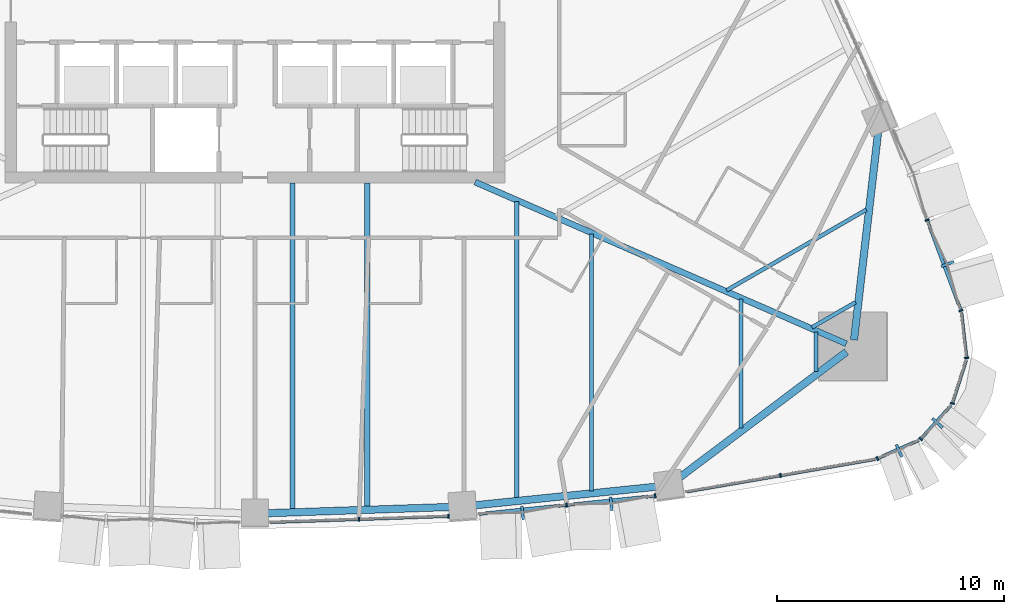
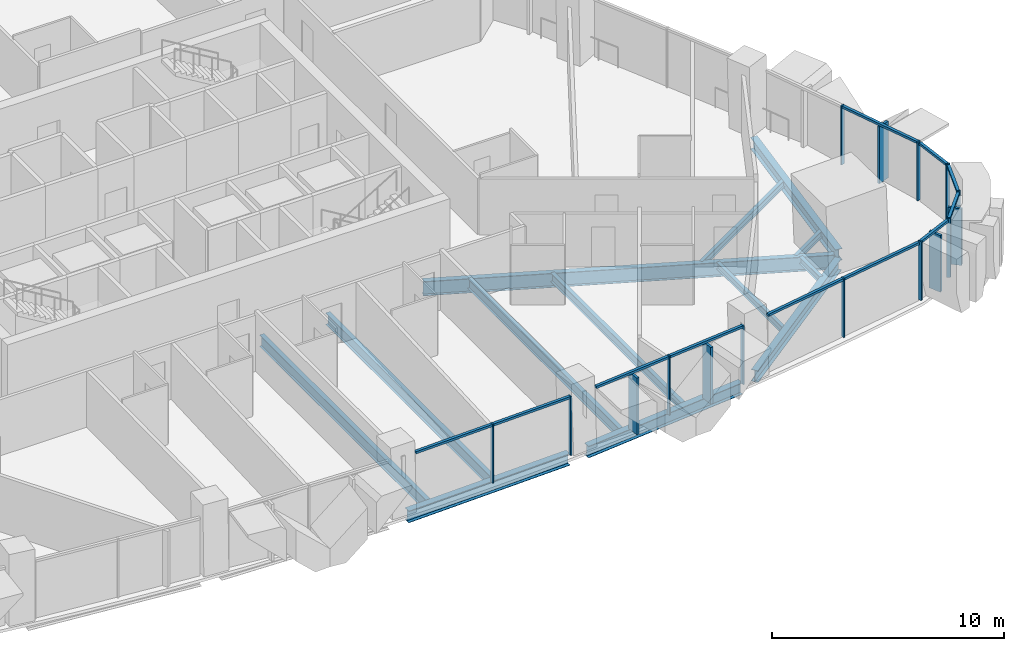
# One storey, part 4 of 19: 27 members, 13 beams, 8 elements without a shape of their own.
"""IFC4 building model written with IfcOpenShell, lengths in metres."""

from ifc_helpers import new_model, si_unit, direction, frame, origin, origin_2d, place, context, subcontext, project, spatial, rectangle, i_section, extrude, material, layer, layer_set, material_profile, profile_set, type_object, element, aggregate, save


model = new_model("IFC4")

# Units and contexts
model_context = context("Model", 3, precision=1e-05, world=origin(), true_north=direction((0.0, 1.0)))
body_context = subcontext(model_context, "Body", "Model", "MODEL_VIEW")
ifc_project = project(units=[si_unit("LENGTHUNIT", "METRE"), si_unit("AREAUNIT", "SQUARE_METRE"), si_unit("VOLUMEUNIT", "CUBIC_METRE"), si_unit("PLANEANGLEUNIT", "RADIAN"), si_unit("MASSUNIT", "GRAM", prefix="KILO")], contexts=[model_context])

# Site, building, storey
site_placement = place(None, origin())
site = spatial("IfcSite", under=ifc_project, at=site_placement, CompositionType="ELEMENT")
building_placement = place(site_placement, origin())
building = spatial("IfcBuilding", under=site, at=building_placement, Name="Sierra Prisma Convention Tower", CompositionType="ELEMENT")
storey_placement = place(building_placement, frame((0.0, 0.0, 77.60009765625)))
storey = spatial("IfcBuildingStorey", under=building, at=storey_placement, Name="L15", CompositionType="ELEMENT", Elevation=77.60009765625)

# Curtain wall, members
ifc_material_1 = material(Name="Aluminium and glass curtain wall", Category="aluminium")
ifc_layer_1 = layer(ifc_material_1, 0.179931640625)
ifc_layer_set_1 = layer_set([ifc_layer_1], Name="CW-2 Faceted crystal curtain wall")
curtain_wall_type_1 = type_object("IfcCurtainWallType", Name="CW-2 Faceted crystal curtain wall", PredefinedType="NOTDEFINED", material=ifc_layer_set_1)
curtain_wall_1_placement = place(storey_placement, origin())
curtain_wall_1 = element("IfcCurtainWall", 1, at=curtain_wall_1_placement, inside=storey, type_object=curtain_wall_type_1, Name="CW-2 S5 L15", PredefinedType="NOTDEFINED")
ifc_material_2 = material(Name="Aluminium 6063-T6 bronze anodised", Category="aluminium")
ifc_material_profile_1 = material_profile(ifc_material_2, rectangle(XDim=0.1201171875, YDim=0.60009765625, at=origin_2d()), Name="ALU RIDGE BLADE 120x600")
ifc_profile_set_1 = profile_set([ifc_material_profile_1], Name="Aluminium 6063-T6 bronze anodised")
member_type_1 = type_object("IfcMemberType", Name="CW hip bronze", PredefinedType="MULLION", material=ifc_profile_set_1)
member_1_placement = place(storey_placement, frame((11.778076171875, -22.52392578125, 0.0), z_axis=(0.0, 0.0, 1.0), x_axis=(0.994772930639, 0.102111784176, 0.0)))
member_1 = element("IfcMember", 2, at=member_1_placement, type_object=member_type_1, Name="CW-2 ridge S5.1", PredefinedType="MULLION", context=body_context, shape_type="SweptSolid", body=[
    extrude(rectangle(XDim=0.1201171875, YDim=0.60009765625, at=origin_2d()), origin(), (0.0, 0.0, 1.0), 2.97998046875),
])
member_2_placement = place(storey_placement, frame((15.682373046875, -22.123046875, 0.0), z_axis=(0.0, 0.0, 1.0), x_axis=(0.994772930639, 0.102111784176, 0.0)))
member_2 = element("IfcMember", 3, at=member_2_placement, type_object=member_type_1, Name="CW-2 ridge S5.2", PredefinedType="MULLION", context=body_context, shape_type="SweptSolid", body=[
    extrude(rectangle(XDim=0.1201171875, YDim=0.60009765625, at=origin_2d()), origin(), (0.0, 0.0, 1.0), 2.97998046875),
])

# Curtain wall, member
curtain_wall_2_placement = place(storey_placement, origin())
curtain_wall_2 = element("IfcCurtainWall", 4, at=curtain_wall_2_placement, inside=storey, type_object=curtain_wall_type_1, Name="CW-2 SE1 L15", PredefinedType="NOTDEFINED")
member_3_placement = place(storey_placement, frame((28.357421875, -19.78857421875, 0.0), z_axis=(0.0, 0.0, 1.0), x_axis=(0.914741517219, 0.404039548407, 0.0)))
member_3 = element("IfcMember", 5, at=member_3_placement, type_object=member_type_1, Name="CW-2 ridge SE1.1", PredefinedType="MULLION", context=body_context, shape_type="SweptSolid", body=[
    extrude(rectangle(XDim=0.1201171875, YDim=0.60009765625, at=origin_2d()), origin(), (0.0, 0.0, 1.0), 2.97998046875),
])

curtain_wall_3_placement = place(storey_placement, origin())
curtain_wall_3 = element("IfcCurtainWall", 6, at=curtain_wall_3_placement, inside=storey, type_object=curtain_wall_type_1, Name="CW-2 SE2 L15", PredefinedType="NOTDEFINED")
member_4_placement = place(storey_placement, frame((30.046630859375, -18.56396484375, 0.0), z_axis=(0.0, 0.0, 1.0), x_axis=(0.668485661944, 0.743725029682, 0.0)))
member_4 = element("IfcMember", 7, at=member_4_placement, type_object=member_type_1, Name="CW-2 ridge SE2.1", PredefinedType="MULLION", context=body_context, shape_type="SweptSolid", body=[
    extrude(rectangle(XDim=0.1201171875, YDim=0.60009765625, at=origin_2d()), origin(), (0.0, 0.0, 1.0), 2.97998046875),
])

curtain_wall_4_placement = place(storey_placement, origin())
curtain_wall_4 = element("IfcCurtainWall", 8, at=curtain_wall_4_placement, inside=storey, type_object=curtain_wall_type_1, Name="CW-2 NE1 L15", PredefinedType="NOTDEFINED")
member_5_placement = place(storey_placement, frame((30.491455078125, -11.56103515625, 0.0), z_axis=(0.0, 0.0, 1.0), x_axis=(-0.350139772107, 0.936697464494, 0.0)))
member_5 = element("IfcMember", 9, at=member_5_placement, type_object=member_type_1, Name="CW-2 ridge NE1.1", PredefinedType="MULLION", context=body_context, shape_type="SweptSolid", body=[
    extrude(rectangle(XDim=0.1201171875, YDim=0.60009765625, at=origin_2d()), origin(), (0.0, 0.0, 1.0), 2.97998046875),
])

# Curtain wall, members
ifc_material_3 = material(Name="Aluminium and glass curtain wall", Category="aluminium")
ifc_layer_2 = layer(ifc_material_3, 0.179931640625)
ifc_layer_set_2 = layer_set([ifc_layer_2], Name="CW-1 Plain shaft curtain wall")
curtain_wall_type_2 = type_object("IfcCurtainWallType", Name="CW-1 Plain shaft curtain wall", PredefinedType="NOTDEFINED", material=ifc_layer_set_2)
curtain_wall_5_placement = place(storey_placement, origin())
curtain_wall_5 = element("IfcCurtainWall", 10, at=curtain_wall_5_placement, inside=storey, type_object=curtain_wall_type_2, Name="CW-1 S4 L15", PredefinedType="NOTDEFINED")
ifc_material_4 = material(Name="Aluminium 6063-T6 bronze anodised", Category="aluminium")
ifc_material_profile_2 = material_profile(ifc_material_4, rectangle(XDim=0.179931640625, YDim=0.070068359375, at=origin_2d()), Name="ALU MULLION 70x180")
ifc_profile_set_2 = profile_set([ifc_material_profile_2], Name="Aluminium 6063-T6 bronze anodised")
member_type_2 = type_object("IfcMemberType", Name="CW mullion bronze", PredefinedType="MULLION", material=ifc_profile_set_2)
member_6_placement = place(storey_placement, frame((4.578369140625, -22.795166015625, 0.0), z_axis=(0.0, 0.0, 1.0), x_axis=(-0.03409008438, 0.999418764156, 0.0)))
member_6 = element("IfcMember", 11, at=member_6_placement, type_object=member_type_2, Name="CW-1 mullion S4.2", PredefinedType="MULLION", context=body_context, shape_type="SweptSolid", body=[
    extrude(rectangle(XDim=0.179931640625, YDim=0.070068359375, at=origin_2d()), origin(), (0.0, 0.0, 1.0), 3.099853515625),
])
member_7_placement = place(storey_placement, frame((8.522216796875, -22.66064453125, 0.0), z_axis=(0.0, 0.0, 1.0), x_axis=(-0.03409008438, 0.999418764156, 0.0)))
member_7 = element("IfcMember", 12, at=member_7_placement, type_object=member_type_2, Name="CW-1 mullion S4.3", PredefinedType="MULLION", context=body_context, shape_type="SweptSolid", body=[
    extrude(rectangle(XDim=0.179931640625, YDim=0.070068359375, at=origin_2d()), origin(), (0.0, 0.0, 1.0), 3.099853515625),
])

# Member
member_8_placement = place(storey_placement, frame((13.714599609375, -22.172607421875, 0.0), z_axis=(0.0, 0.0, 1.0), x_axis=(-0.102111784176, 0.994772930639, 0.0)))
member_8 = element("IfcMember", 13, at=member_8_placement, type_object=member_type_2, Name="CW-1 mullion S5.2", PredefinedType="MULLION", context=body_context, shape_type="SweptSolid", body=[
    extrude(rectangle(XDim=0.179931640625, YDim=0.070068359375, at=origin_2d()), origin(), (0.0, 0.0, 1.0), 3.099853515625),
])

member_9_placement = place(storey_placement, frame((17.619140625, -21.771728515625, 0.0), z_axis=(0.0, 0.0, 1.0), x_axis=(-0.102111784176, 0.994772930639, 0.0)))
member_9 = element("IfcMember", 14, at=member_9_placement, type_object=member_type_2, Name="CW-1 mullion S5.3", PredefinedType="MULLION", context=body_context, shape_type="SweptSolid", body=[
    extrude(rectangle(XDim=0.179931640625, YDim=0.070068359375, at=origin_2d()), origin(), (0.0, 0.0, 1.0), 3.099853515625),
])

# Curtain wall, member
curtain_wall_6_placement = place(storey_placement, origin())
curtain_wall_6 = element("IfcCurtainWall", 15, at=curtain_wall_6_placement, inside=storey, type_object=curtain_wall_type_2, Name="CW-1 S6 L15", PredefinedType="NOTDEFINED")
member_10_placement = place(storey_placement, frame((23.135498046875, -20.870361328125, 0.0), z_axis=(0.0, 0.0, 1.0), x_axis=(-0.169658813728, 0.985502859927, 0.0)))
member_10 = element("IfcMember", 16, at=member_10_placement, type_object=member_type_2, Name="CW-1 mullion S6.2", PredefinedType="MULLION", context=body_context, shape_type="SweptSolid", body=[
    extrude(rectangle(XDim=0.179931640625, YDim=0.070068359375, at=origin_2d()), origin(), (0.0, 0.0, 1.0), 3.099853515625),
])

# Member
member_11_placement = place(storey_placement, frame((27.3974609375, -20.128173828125, 0.0), z_axis=(0.0, 0.0, 1.0), x_axis=(-0.404039548407, 0.914741517219, 0.0)))
member_11 = element("IfcMember", 17, at=member_11_placement, type_object=member_type_2, Name="CW-1 mullion SE1.1", PredefinedType="MULLION", context=body_context, shape_type="SweptSolid", body=[
    extrude(rectangle(XDim=0.179931640625, YDim=0.070068359375, at=origin_2d()), origin(), (0.0, 0.0, 1.0), 3.099853515625),
])

member_12_placement = place(storey_placement, frame((29.310546875, -19.267578125, 0.0), z_axis=(0.0, 0.0, 1.0), x_axis=(-0.743725029682, 0.668485661944, 0.0)))
member_12 = element("IfcMember", 18, at=member_12_placement, type_object=member_type_2, Name="CW-1 mullion SE2.1", PredefinedType="MULLION", context=body_context, shape_type="SweptSolid", body=[
    extrude(rectangle(XDim=0.179931640625, YDim=0.070068359375, at=origin_2d()), origin(), (0.0, 0.0, 1.0), 3.099853515625),
])

# Curtain wall, member
curtain_wall_7_placement = place(storey_placement, origin())
curtain_wall_7 = element("IfcCurtainWall", 19, at=curtain_wall_7_placement, inside=storey, type_object=curtain_wall_type_2, Name="CW-1 SE3 L15", PredefinedType="NOTDEFINED")
member_13_placement = place(storey_placement, frame((30.7021484375, -17.69775390625, 0.0), z_axis=(0.0, 0.0, 1.0), x_axis=(-0.95249395318, 0.304557497291, 0.0)))
member_13 = element("IfcMember", 20, at=member_13_placement, type_object=member_type_2, Name="CW-1 mullion SE3.1", PredefinedType="MULLION", context=body_context, shape_type="SweptSolid", body=[
    extrude(rectangle(XDim=0.179931640625, YDim=0.070068359375, at=origin_2d()), origin(), (0.0, 0.0, 1.0), 3.099853515625),
])

curtain_wall_8_placement = place(storey_placement, origin())
curtain_wall_8 = element("IfcCurtainWall", 21, at=curtain_wall_8_placement, inside=storey, type_object=curtain_wall_type_2, Name="CW-1 SE4 L15", PredefinedType="NOTDEFINED")
member_14_placement = place(storey_placement, frame((31.3271484375, -15.6953125, 0.0), z_axis=(0.0, 0.0, 1.0), x_axis=(-0.993597106833, -0.112981367016, 0.0)))
member_14 = element("IfcMember", 22, at=member_14_placement, type_object=member_type_2, Name="CW-1 mullion SE4.1", PredefinedType="MULLION", context=body_context, shape_type="SweptSolid", body=[
    extrude(rectangle(XDim=0.179931640625, YDim=0.070068359375, at=origin_2d()), origin(), (0.0, 0.0, 1.0), 3.099853515625),
])

# Member
member_15_placement = place(storey_placement, frame((31.08154296875, -13.610107421875, 0.0), z_axis=(0.0, 0.0, 1.0), x_axis=(-0.936697464494, -0.350139772107, 0.0)))
member_15 = element("IfcMember", 23, at=member_15_placement, type_object=member_type_2, Name="CW-1 mullion NE1.1", PredefinedType="MULLION", context=body_context, shape_type="SweptSolid", body=[
    extrude(rectangle(XDim=0.179931640625, YDim=0.070068359375, at=origin_2d()), origin(), (0.0, 0.0, 1.0), 3.099853515625),
])

member_16_placement = place(storey_placement, frame((29.593017578125, -9.62744140625, 0.0), z_axis=(0.0, 0.0, 1.0), x_axis=(-0.936697464494, -0.350139772107, 0.0)))
member_16 = element("IfcMember", 24, at=member_16_placement, type_object=member_type_2, Name="CW-1 mullion NE1.2", PredefinedType="MULLION", context=body_context, shape_type="SweptSolid", body=[
    extrude(rectangle(XDim=0.179931640625, YDim=0.070068359375, at=origin_2d()), origin(), (0.0, 0.0, 1.0), 3.099853515625),
])

ifc_material_5 = material(Name="Aluminium 6063-T6 bronze anodised", Category="aluminium")
ifc_material_profile_3 = material_profile(ifc_material_5, rectangle(XDim=0.139892578125, YDim=0.1201171875, at=origin_2d()), Name="ALU TRANSOM 120x140")
ifc_profile_set_3 = profile_set([ifc_material_profile_3], Name="Aluminium 6063-T6 bronze anodised")
member_type_3 = type_object("IfcMemberType", Name="CW transom bronze", PredefinedType="USERDEFINED", material=ifc_profile_set_3)
member_17_placement = place(storey_placement, frame((0.669677734375, -22.928466796875, 3.039794921875), z_axis=(0.999419240354, 0.034076120819, 0.0), x_axis=(-0.034076120819, 0.999419240354, 0.0)))
member_17 = element("IfcMember", 25, at=member_17_placement, type_object=member_type_3, Name="CW-1 transom S4.1", ObjectType="TRANSOM", PredefinedType="USERDEFINED", context=body_context, shape_type="SweptSolid", body=[
    extrude(rectangle(XDim=0.139892578125, YDim=0.1201171875, at=origin_2d()), origin(), (0.0, 0.0, 1.0), 3.8759765625),
])

member_18_placement = place(storey_placement, frame((4.613525390625, -22.7939453125, 3.039794921875), z_axis=(0.999419240354, 0.034076120819, 0.0), x_axis=(-0.034076120819, 0.999419240354, 0.0)))
member_18 = element("IfcMember", 26, at=member_18_placement, type_object=member_type_3, Name="CW-1 transom S4.2", ObjectType="TRANSOM", PredefinedType="USERDEFINED", context=body_context, shape_type="SweptSolid", body=[
    extrude(rectangle(XDim=0.139892578125, YDim=0.1201171875, at=origin_2d()), origin(), (0.0, 0.0, 1.0), 3.8759765625),
])

aggregate(curtain_wall_5, [member_6, member_7, member_17, member_18])

member_19_placement = place(storey_placement, frame((9.84521484375, -22.56982421875, 3.039794921875), z_axis=(0.994774843616, 0.102093146235, 0.0), x_axis=(-0.102093146235, 0.994774843616, 0.0)))
member_19 = element("IfcMember", 27, at=member_19_placement, type_object=member_type_3, Name="CW-1 transom S5.1", ObjectType="TRANSOM", PredefinedType="USERDEFINED", context=body_context, shape_type="SweptSolid", body=[
    extrude(rectangle(XDim=0.139892578125, YDim=0.1201171875, at=origin_2d()), origin(), (0.0, 0.0, 1.0), 3.85498046875),
])

member_20_placement = place(storey_placement, frame((13.74951171875, -22.1689453125, 3.039794921875), z_axis=(0.994774843616, 0.102093146235, 0.0), x_axis=(-0.102093146235, 0.994774843616, 0.0)))
member_20 = element("IfcMember", 28, at=member_20_placement, type_object=member_type_3, Name="CW-1 transom S5.2", ObjectType="TRANSOM", PredefinedType="USERDEFINED", context=body_context, shape_type="SweptSolid", body=[
    extrude(rectangle(XDim=0.139892578125, YDim=0.1201171875, at=origin_2d()), origin(), (0.0, 0.0, 1.0), 3.85498046875),
])

aggregate(curtain_wall_1, [member_8, member_9, member_19, member_1, member_20, member_2])

member_21_placement = place(storey_placement, frame((18.974853515625, -21.586669921875, 3.039794921875), z_axis=(0.985508555628, 0.169625725597, 0.0), x_axis=(-0.169625725597, 0.985508555628, 0.0)))
member_21 = element("IfcMember", 29, at=member_21_placement, type_object=member_type_3, Name="CW-1 transom S6.1", ObjectType="TRANSOM", PredefinedType="USERDEFINED", context=body_context, shape_type="SweptSolid", body=[
    extrude(rectangle(XDim=0.139892578125, YDim=0.1201171875, at=origin_2d()), origin(), (0.0, 0.0, 1.0), 4.18701171875),
])

member_22_placement = place(storey_placement, frame((23.170166015625, -20.864501953125, 3.039794921875), z_axis=(0.985498806443, 0.169682357656, 0.0), x_axis=(-0.169682357656, 0.985498806443, 0.0)))
member_22 = element("IfcMember", 30, at=member_22_placement, type_object=member_type_3, Name="CW-1 transom S6.2", ObjectType="TRANSOM", PredefinedType="USERDEFINED", context=body_context, shape_type="SweptSolid", body=[
    extrude(rectangle(XDim=0.139892578125, YDim=0.1201171875, at=origin_2d()), origin(), (0.0, 0.0, 1.0), 4.18701171875),
])

aggregate(curtain_wall_6, [member_10, member_21, member_22])

member_23_placement = place(storey_placement, frame((27.429443359375, -20.114013671875, 3.039794921875), z_axis=(0.91472835024, 0.404069357001, 0.0), x_axis=(-0.404069357001, 0.91472835024, 0.0)))
member_23 = element("IfcMember", 31, at=member_23_placement, type_object=member_type_3, Name="CW-1 transom SE1.1", ObjectType="TRANSOM", PredefinedType="USERDEFINED", context=body_context, shape_type="SweptSolid", body=[
    extrude(rectangle(XDim=0.139892578125, YDim=0.1201171875, at=origin_2d()), origin(), (0.0, 0.0, 1.0), 1.960693359375),
])

aggregate(curtain_wall_2, [member_11, member_23, member_3])

member_24_placement = place(storey_placement, frame((29.333740234375, -19.241455078125, 3.039794921875), z_axis=(0.668503703086, 0.743708813286, 0.0), x_axis=(-0.743708813286, 0.668503703086, 0.0)))
member_24 = element("IfcMember", 32, at=member_24_placement, type_object=member_type_3, Name="CW-1 transom SE2.1", ObjectType="TRANSOM", PredefinedType="USERDEFINED", context=body_context, shape_type="SweptSolid", body=[
    extrude(rectangle(XDim=0.139892578125, YDim=0.1201171875, at=origin_2d()), origin(), (0.0, 0.0, 1.0), 1.960693359375),
])

aggregate(curtain_wall_3, [member_12, member_24, member_4])

member_25_placement = place(storey_placement, frame((30.712646484375, -17.664306640625, 3.039794921875), z_axis=(0.304585952829, 0.952484854126, 0.0), x_axis=(-0.952484854126, 0.304585952829, 0.0)))
member_25 = element("IfcMember", 33, at=member_25_placement, type_object=member_type_3, Name="CW-1 transom SE3.1", ObjectType="TRANSOM", PredefinedType="USERDEFINED", context=body_context, shape_type="SweptSolid", body=[
    extrude(rectangle(XDim=0.139892578125, YDim=0.1201171875, at=origin_2d()), origin(), (0.0, 0.0, 1.0), 1.960693359375),
])

aggregate(curtain_wall_7, [member_13, member_25])

member_26_placement = place(storey_placement, frame((31.3232421875, -15.66064453125, 3.039794921875), z_axis=(-0.112932037883, 0.993602714781, 0.0), x_axis=(-0.993602714781, -0.112932037883, 0.0)))
member_26 = element("IfcMember", 34, at=member_26_placement, type_object=member_type_3, Name="CW-1 transom SE4.1", ObjectType="TRANSOM", PredefinedType="USERDEFINED", context=body_context, shape_type="SweptSolid", body=[
    extrude(rectangle(XDim=0.139892578125, YDim=0.1201171875, at=origin_2d()), origin(), (0.0, 0.0, 1.0), 1.960693359375),
])

aggregate(curtain_wall_8, [member_14, member_26])

member_27_placement = place(storey_placement, frame((31.0693359375, -13.5771484375, 3.039794921875), z_axis=(-0.350144274812, 0.936695781359, 0.0), x_axis=(-0.936695781359, -0.350144274812, 0.0)))
member_27 = element("IfcMember", 35, at=member_27_placement, type_object=member_type_3, Name="CW-1 transom NE1.1", ObjectType="TRANSOM", PredefinedType="USERDEFINED", context=body_context, shape_type="SweptSolid", body=[
    extrude(rectangle(XDim=0.139892578125, YDim=0.1201171875, at=origin_2d()), origin(), (0.0, 0.0, 1.0), 4.181396484375),
])

aggregate(curtain_wall_4, [member_15, member_16, member_27, member_5])

# Beams
ifc_material_6 = material(Name="Steel ASTM A992 Gr 50", Category="steel")
ifc_material_profile_4 = material_profile(ifc_material_6, i_section(OverallWidth=0.172119140625, OverallDepth=0.35791015625, WebThickness=0.0078125, FlangeThickness=0.01318359375, at=origin_2d()), Name="W360x57")
ifc_profile_set_4 = profile_set([ifc_material_profile_4], Name="Steel ASTM A992 Gr 50")
beam_type_1 = type_object("IfcBeamType", Name="Floor joist W360x57", PredefinedType="JOIST", material=ifc_profile_set_4)
beam_1_placement = place(storey_placement, frame((21.3984375, -18.77001953125, -0.3291015625), z_axis=(0.0, 1.0, 0.0), x_axis=(-1.0, 0.0, 0.0)))
element("IfcBeam", 36, at=beam_1_placement, inside=storey, type_object=beam_type_1, Name="Floor joist L15 S15", PredefinedType="JOIST", context=body_context, shape_type="SweptSolid", body=[
    extrude(i_section(OverallWidth=0.172119140625, OverallDepth=0.35791015625, WebThickness=0.0078125, FlangeThickness=0.01318359375, at=origin_2d()), origin(), (0.0, 0.0, 1.0), 5.658447265625),
])
beam_2_placement = place(storey_placement, frame((24.690673828125, -16.291259765625, -0.3291015625), z_axis=(0.0, 1.0, 0.0), x_axis=(-1.0, 0.0, 0.0)))
element("IfcBeam", 37, at=beam_2_placement, inside=storey, type_object=beam_type_1, Name="Floor joist L15 S16", PredefinedType="JOIST", context=body_context, shape_type="SweptSolid", body=[
    extrude(i_section(OverallWidth=0.172119140625, OverallDepth=0.35791015625, WebThickness=0.0078125, FlangeThickness=0.01318359375, at=origin_2d()), origin(), (0.0, 0.0, 1.0), 1.7451171875),
])
beam_3_placement = place(storey_placement, frame((26.44091796875, -13.24462890625, -0.3291015625), z_axis=(-0.866042797968, -0.49996987118, 0.0), x_axis=(0.49996987118, -0.866042797968, 0.0)))
element("IfcBeam", 38, at=beam_3_placement, inside=storey, type_object=beam_type_1, Name="Floor joist L15 NE01", PredefinedType="JOIST", context=body_context, shape_type="SweptSolid", body=[
    extrude(i_section(OverallWidth=0.172119140625, OverallDepth=0.35791015625, WebThickness=0.0078125, FlangeThickness=0.01318359375, at=origin_2d()), origin(), (0.0, 0.0, 1.0), 2.220947265625),
])
beam_4_placement = place(storey_placement, frame((26.91357421875, -9.17041015625, -0.3291015625), z_axis=(-0.866031536308, -0.499989378008, 0.0), x_axis=(0.499989378008, -0.866031536308, 0.0)))
element("IfcBeam", 39, at=beam_4_placement, inside=storey, type_object=beam_type_1, Name="Floor joist L15 NE02", PredefinedType="JOIST", context=body_context, shape_type="SweptSolid", body=[
    extrude(i_section(OverallWidth=0.172119140625, OverallDepth=0.35791015625, WebThickness=0.0078125, FlangeThickness=0.01318359375, at=origin_2d()), origin(), (0.0, 0.0, 1.0), 7.099365234375),
])
ifc_material_7 = material(Name="Steel ASTM A992 Gr 50", Category="steel")
ifc_material_profile_5 = material_profile(ifc_material_7, i_section(OverallWidth=0.18994140625, OverallDepth=0.45703125, WebThickness=0.009033203125, FlangeThickness=0.014404296875, at=origin_2d()), Name="W460x74")
ifc_profile_set_5 = profile_set([ifc_material_profile_5], Name="Steel ASTM A992 Gr 50")
beam_type_2 = type_object("IfcBeamType", Name="Floor joist W460x74", PredefinedType="JOIST", material=ifc_profile_set_5)
beam_5_placement = place(storey_placement, frame((14.814453125, -21.544921875, -0.378662109375), z_axis=(0.0, 1.0, 0.0), x_axis=(-1.0, 0.0, 0.0)))
element("IfcBeam", 40, at=beam_5_placement, inside=storey, type_object=beam_type_2, Name="Floor joist L15 S13", PredefinedType="JOIST", context=body_context, shape_type="SweptSolid", body=[
    extrude(i_section(OverallWidth=0.18994140625, OverallDepth=0.45703125, WebThickness=0.009033203125, FlangeThickness=0.014404296875, at=origin_2d()), origin(), (0.0, 0.0, 1.0), 11.30224609375),
])
ifc_material_8 = material(Name="Steel ASTM A992 Gr 50", Category="steel")
ifc_material_profile_6 = material_profile(ifc_material_8, i_section(OverallWidth=0.208984375, OverallDepth=0.532958984375, WebThickness=0.01025390625, FlangeThickness=0.015625, at=origin_2d()), Name="W530x92")
ifc_profile_set_6 = profile_set([ifc_material_profile_6], Name="Steel ASTM A992 Gr 50")
beam_type_3 = type_object("IfcBeamType", Name="Floor joist W530x92", PredefinedType="JOIST", material=ifc_profile_set_6)
beam_6_placement = place(storey_placement, frame((11.522216796875, -21.88232421875, -0.41650390625), z_axis=(0.0, 1.0, 0.0), x_axis=(-1.0, 0.0, 0.0)))
element("IfcBeam", 41, at=beam_6_placement, inside=storey, type_object=beam_type_3, Name="Floor joist L15 S12", PredefinedType="JOIST", context=body_context, shape_type="SweptSolid", body=[
    extrude(i_section(OverallWidth=0.208984375, OverallDepth=0.532958984375, WebThickness=0.01025390625, FlangeThickness=0.015625, at=origin_2d()), origin(), (0.0, 0.0, 1.0), 13.073974609375),
])
ifc_material_9 = material(Name="Steel ASTM A992 Gr 50", Category="steel")
ifc_material_profile_7 = material_profile(ifc_material_9, i_section(OverallWidth=0.22802734375, OverallDepth=0.60302734375, WebThickness=0.010498046875, FlangeThickness=0.014892578125, at=origin_2d()), Name="W610x101")
ifc_profile_set_7 = profile_set([ifc_material_profile_7], Name="Steel ASTM A992 Gr 50")
beam_type_4 = type_object("IfcBeamType", Name="Floor joist W610x101", PredefinedType="JOIST", material=ifc_profile_set_7)
beam_7_placement = place(storey_placement, frame((1.64599609375, -22.382568359375, -0.45166015625), z_axis=(0.0, 1.0, 0.0), x_axis=(-1.0, 0.0, 0.0)))
element("IfcBeam", 42, at=beam_7_placement, inside=storey, type_object=beam_type_4, Name="Floor joist L15 S09", PredefinedType="JOIST", context=body_context, shape_type="SweptSolid", body=[
    extrude(i_section(OverallWidth=0.22802734375, OverallDepth=0.60302734375, WebThickness=0.010498046875, FlangeThickness=0.014892578125, at=origin_2d()), origin(), (0.0, 0.0, 1.0), 14.382568359375),
])
beam_8_placement = place(storey_placement, frame((4.938232421875, -22.2705078125, -0.45166015625), z_axis=(0.0, 1.0, 0.0), x_axis=(-1.0, 0.0, 0.0)))
element("IfcBeam", 43, at=beam_8_placement, inside=storey, type_object=beam_type_4, Name="Floor joist L15 S10", PredefinedType="JOIST", context=body_context, shape_type="SweptSolid", body=[
    extrude(i_section(OverallWidth=0.22802734375, OverallDepth=0.60302734375, WebThickness=0.010498046875, FlangeThickness=0.014892578125, at=origin_2d()), origin(), (0.0, 0.0, 1.0), 14.2705078125),
])
ifc_material_10 = material(Name="Steel ASTM A992 Gr 50", Category="steel")
ifc_material_profile_8 = material_profile(ifc_material_10, i_section(OverallWidth=0.264892578125, OverallDepth=0.7529296875, WebThickness=0.01318359375, FlangeThickness=0.01708984375, at=origin_2d()), Name="W760x147")
ifc_profile_set_8 = profile_set([ifc_material_profile_8], Name="Steel ASTM A992 Gr 50")
beam_type_5 = type_object("IfcBeamType", Name="Radial girder W760x147", PredefinedType="BEAM", material=ifc_profile_set_8)
beam_9_placement = place(storey_placement, frame((26.03662109375, -15.07470703125, -0.526611328125), z_axis=(-0.916755881114, 0.399447937087, 0.0), x_axis=(-0.399447937087, -0.916755881114, 0.0)))
element("IfcBeam", 44, at=beam_9_placement, inside=storey, type_object=beam_type_5, Name="Radial girder L15 SE", PredefinedType="BEAM", context=body_context, shape_type="SweptSolid", body=[
    extrude(i_section(OverallWidth=0.264892578125, OverallDepth=0.7529296875, WebThickness=0.01318359375, FlangeThickness=0.01708984375, at=origin_2d()), origin(), (0.0, 0.0, 1.0), 17.8310546875),
])
ifc_material_11 = material(Name="Steel ASTM A992 Gr 50", Category="steel")
ifc_material_profile_9 = material_profile(ifc_material_11, i_section(OverallWidth=0.324951171875, OverallDepth=0.615966796875, WebThickness=0.013916015625, FlangeThickness=0.021484375, at=origin_2d()), Name="W610x174")
ifc_profile_set_9 = profile_set([ifc_material_profile_9], Name="Steel ASTM A992 Gr 50")
beam_type_6 = type_object("IfcBeamType", Name="Spandrel beam W610x174", PredefinedType="BEAM", material=ifc_profile_set_9)
beam_10_placement = place(storey_placement, frame((0.47998046875, -22.534912109375, -0.4580078125), z_axis=(0.999421038166, 0.034023351853, 0.0), x_axis=(-0.034023351853, 0.999421038166, 0.0)))
element("IfcBeam", 45, at=beam_10_placement, inside=storey, type_object=beam_type_6, Name="Spandrel L15-04", PredefinedType="BEAM", context=body_context, shape_type="SweptSolid", body=[
    extrude(i_section(OverallWidth=0.324951171875, OverallDepth=0.615966796875, WebThickness=0.013916015625, FlangeThickness=0.021484375, at=origin_2d()), origin(), (0.0, 0.0, 1.0), 8.18017578125),
])
beam_11_placement = place(storey_placement, frame((9.61328125, -22.191162109375, -0.4580078125), z_axis=(0.994792303926, 0.101922873046, 0.0), x_axis=(-0.101922873046, 0.994792303926, 0.0)))
element("IfcBeam", 46, at=beam_11_placement, inside=storey, type_object=beam_type_6, Name="Spandrel L15-05", PredefinedType="BEAM", context=body_context, shape_type="SweptSolid", body=[
    extrude(i_section(OverallWidth=0.324951171875, OverallDepth=0.615966796875, WebThickness=0.013916015625, FlangeThickness=0.021484375, at=origin_2d()), origin(), (0.0, 0.0, 1.0), 8.1826171875),
])
beam_12_placement = place(storey_placement, frame((18.68408203125, -20.967041015625, -0.4580078125), z_axis=(0.798890863793, 0.601476007625, 0.0), x_axis=(-0.601476007625, 0.798890863793, 0.0)))
element("IfcBeam", 47, at=beam_12_placement, inside=storey, type_object=beam_type_6, Name="Spandrel L15-06", PredefinedType="BEAM", context=body_context, shape_type="SweptSolid", body=[
    extrude(i_section(OverallWidth=0.324951171875, OverallDepth=0.615966796875, WebThickness=0.013916015625, FlangeThickness=0.021484375, at=origin_2d()), origin(), (0.0, 0.0, 1.0), 9.203369140625),
])
beam_13_placement = place(storey_placement, frame((26.371337890625, -14.905517578125, -0.4580078125), z_axis=(0.115237466868, 0.993337971805, 0.0), x_axis=(-0.993337971805, 0.115237466868, 0.0)))
element("IfcBeam", 48, at=beam_13_placement, inside=storey, type_object=beam_type_6, Name="Spandrel L15-07", PredefinedType="BEAM", context=body_context, shape_type="SweptSolid", body=[
    extrude(i_section(OverallWidth=0.324951171875, OverallDepth=0.615966796875, WebThickness=0.013916015625, FlangeThickness=0.021484375, at=origin_2d()), origin(), (0.0, 0.0, 1.0), 9.230712890625),
])

save(model, "model.ifc")
